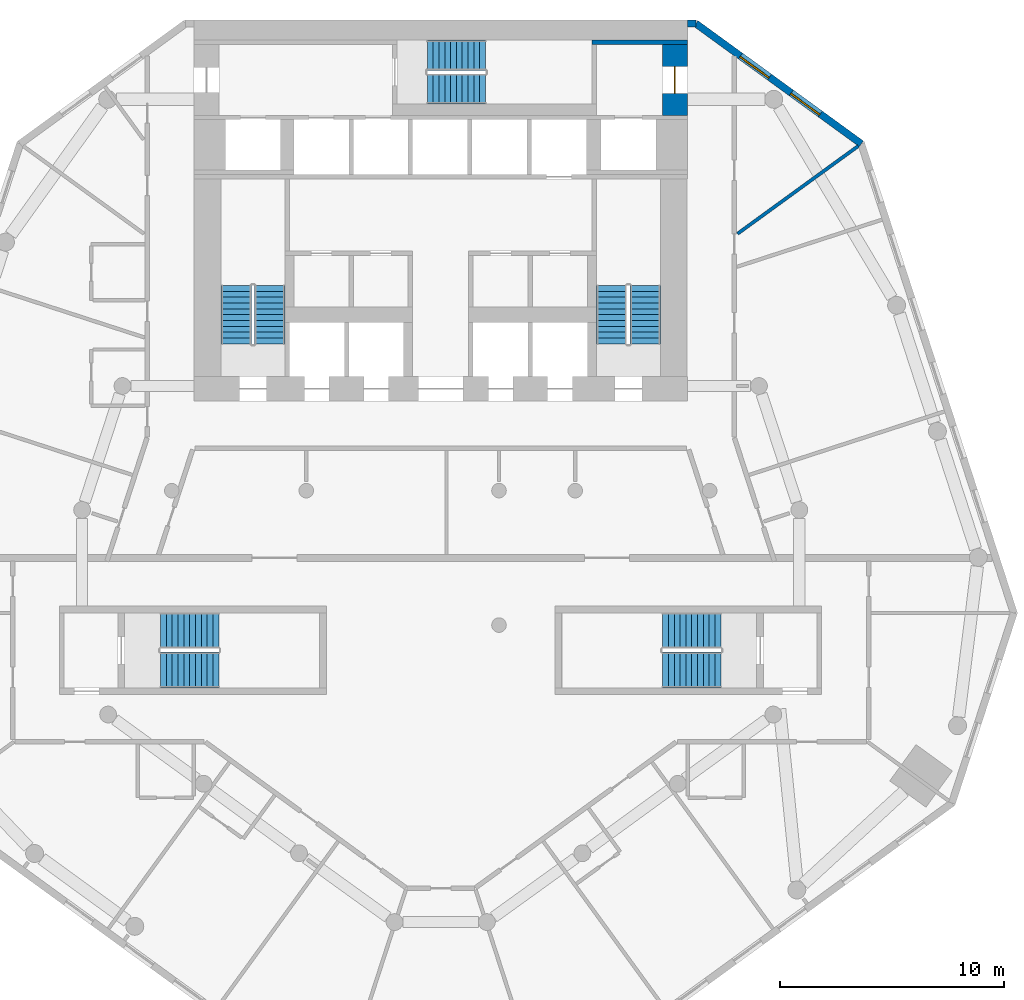
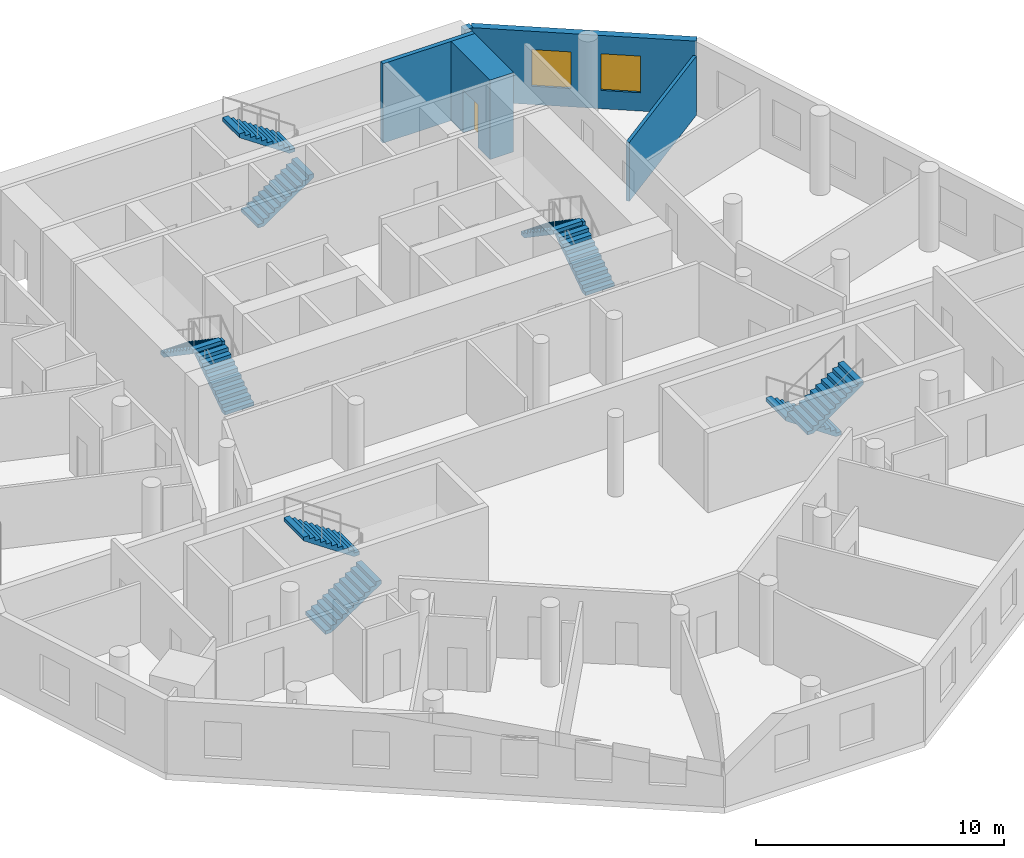
# One storey, part 7 of 9: 10 stair flights, 5 walls, 2 windows, 1 door, 3 openings, 5 elements without a shape of their own.
"""IFC4 building model written with IfcOpenShell, lengths in metres."""

from ifc_helpers import new_model, si_unit, direction, frame, frame_2d, origin, place, context, subcontext, project, spatial, polyline, rectangle, outline, extrude, material, layer, layer_set, type_object, element, fill, aggregate, save


model = new_model("IFC4")

# Units and contexts
model_context = context("Model", 3, precision=1e-05, world=origin(), true_north=direction((0.0, 1.0)))
body_context = subcontext(model_context, "Body", "Model", "MODEL_VIEW")
ifc_project = project(units=[si_unit("LENGTHUNIT", "METRE"), si_unit("AREAUNIT", "SQUARE_METRE"), si_unit("VOLUMEUNIT", "CUBIC_METRE"), si_unit("PLANEANGLEUNIT", "RADIAN"), si_unit("MASSUNIT", "GRAM", prefix="KILO")], contexts=[model_context])

# Site, building, storey
site_placement = place(None, origin())
site = spatial("IfcSite", under=ifc_project, at=site_placement, CompositionType="ELEMENT")
building_placement = place(site_placement, origin())
building = spatial("IfcBuilding", under=site, at=building_placement, Name="White Candle Pilgrim Tower", CompositionType="ELEMENT")
storey_placement = place(building_placement, frame((0.0, 0.0, 118.10009765625)))
storey = spatial("IfcBuildingStorey", under=building, at=storey_placement, Name="L26", CompositionType="ELEMENT", Elevation=118.10009765625)

# Wall, opening, door
ifc_material_1 = material(Name="Concrete C60/75", Category="concrete")
ifc_layer_1 = layer(ifc_material_1, 1.10009765625)
ifc_layer_set_1 = layer_set([ifc_layer_1], Name="Core wall 1100 mm Concrete C60/75")
wall_type_1 = type_object("IfcWallType", Name="Core wall 1100 mm Concrete C60/75", PredefinedType="SHEAR", material=ifc_layer_set_1)
wall_1_placement = place(storey_placement, frame((80.449951171875, 83.75, 0.0), z_axis=(0.0, 0.0, 1.0), x_axis=(0.0, 1.0, 0.0)))
wall_1 = element("IfcWall", 1, at=wall_1_placement, inside=storey, type_object=wall_type_1, Name="WL-L26-C46", PredefinedType="SHEAR", context=body_context, shape_type="SweptSolid", body=[
    extrude(rectangle(XDim=3.14990234375, YDim=1.10009765625, at=frame_2d((1.574951171875, 0.0))), origin(), (0.0, 0.0, 1.0), 3.89990234375),
])
opening_1_placement = place(wall_1_placement, frame((0.97509765625, 0.0, 0.0)))
opening_1 = element("IfcOpeningElement", 2, at=opening_1_placement, cuts=wall_1, Name="Opening T08-006", PredefinedType="OPENING", context=body_context, shape_type="SweptSolid", body=[
    extrude(rectangle(XDim=1.199951171875, YDim=2.10009765625, at=frame_2d((0.60009765625, 1.050048828125))), frame((0.0, 0.56005859375, 0.0), z_axis=(0.0, -1.0, 0.0), x_axis=(1.0, 0.0, 0.0)), (0.0, 0.0, 1.0), 1.1201171875),
])
ifc_material_2 = material(Name="Steel door leaf", Category="steel")
door_type = type_object("IfcDoorType", Name="Fire door 1200 x 2100 EI 30", OperationType="NOTDEFINED", PredefinedType="DOOR", material=ifc_material_2)
door_placement = place(opening_1_placement, origin())
door = element("IfcDoor", 3, at=door_placement, inside=storey, type_object=door_type, Name="Door T08-006", OperationType="SINGLE_SWING_RIGHT", OverallHeight=2.10009765625, OverallWidth=1.199951171875, PredefinedType="DOOR", context=body_context, shape_type="SweptSolid", body=[
    extrude(rectangle(XDim=1.199951171875, YDim=2.10009765625, at=frame_2d((0.60009765625, 1.050048828125))), frame((0.0, 0.02490234375, 0.0), z_axis=(0.0, -1.0, 0.0), x_axis=(1.0, 0.0, 0.0)), (0.0, 0.0, 1.0), 0.050048828125),
])
fill(opening_1, door)

# Wall, openings, windows
ifc_material_3 = material(Name="Precast concrete C40/50", Category="concrete")
ifc_layer_2 = layer(ifc_material_3, 0.320068359375)
ifc_layer_set_2 = layer_set([ifc_layer_2], Name="Facade wall EW1 precast concrete C40/50 pier wall with timber-lined reveals")
wall_type_2 = type_object("IfcWallType", Name="Facade wall EW1 precast concrete C40/50 pier wall with timber-lined reveals", PredefinedType="SOLIDWALL", material=ifc_layer_set_2)
wall_2_placement = place(storey_placement, frame((88.766845703125, 82.476806640625, 0.0), z_axis=(0.0, 0.0, 1.0), x_axis=(-0.809013684675, 0.587789807677, 0.0)))
wall_2 = element("IfcWall", 4, at=wall_2_placement, inside=storey, type_object=wall_type_2, Name="Facade wall L26 NE chamfer", PredefinedType="SOLIDWALL", context=body_context, shape_type="SweptSolid", body=[
    extrude(rectangle(XDim=9.12451171875, YDim=0.320068359375, at=frame_2d((4.562255859375, 0.0))), origin(), (0.0, 0.0, 1.0), 3.599853515625),
])
opening_2_placement = place(wall_2_placement, frame((2.26220703125, 0.0, 0.89990234375)))
opening_2 = element("IfcOpeningElement", 5, at=opening_2_placement, cuts=wall_2, Name="Opening W2", PredefinedType="OPENING", context=body_context, shape_type="SweptSolid", body=[
    extrude(rectangle(XDim=1.60009765625, YDim=1.800048828125, at=frame_2d((0.800048828125, 0.89990234375))), frame((0.0, 0.169921875, 0.0), z_axis=(0.0, -1.0, 0.0), x_axis=(1.0, 0.0, 0.0)), (0.0, 0.0, 1.0), 0.340087890625),
])
opening_3_placement = place(wall_2_placement, frame((5.062255859375, 0.0, 0.89990234375)))
opening_3 = element("IfcOpeningElement", 6, at=opening_3_placement, cuts=wall_2, Name="Opening W2", PredefinedType="OPENING", context=body_context, shape_type="SweptSolid", body=[
    extrude(rectangle(XDim=1.60009765625, YDim=1.800048828125, at=frame_2d((0.800048828125, 0.89990234375))), frame((0.0, 0.169921875, 0.0), z_axis=(0.0, -1.0, 0.0), x_axis=(1.0, 0.0, 0.0)), (0.0, 0.0, 1.0), 0.340087890625),
])
ifc_material_4 = material(Name="Timber frame with triple glazing", Category="wood")
window_type = type_object("IfcWindowType", Name="Window W2 1600x1800 timber frame triple glazing", PartitioningType="SINGLE_PANEL", PredefinedType="WINDOW", material=ifc_material_4)
window_1_placement = place(opening_2_placement, origin())
window_1 = element("IfcWindow", 7, at=window_1_placement, inside=storey, type_object=window_type, Name="Window W2 L26 NE chamfer 1", OverallHeight=1.800048828125, OverallWidth=1.60009765625, PartitioningType="SINGLE_PANEL", PredefinedType="WINDOW", context=body_context, shape_type="SweptSolid", body=[
    extrude(rectangle(XDim=1.60009765625, YDim=1.800048828125, at=frame_2d((0.800048828125, 0.89990234375))), frame((0.0, 0.070068359375, 0.0), z_axis=(0.0, -1.0, 0.0), x_axis=(1.0, 0.0, 0.0)), (0.0, 0.0, 1.0), 0.06005859375),
])
fill(opening_2, window_1)
window_2_placement = place(opening_3_placement, origin())
window_2 = element("IfcWindow", 8, at=window_2_placement, inside=storey, type_object=window_type, Name="Window W2 L26 NE chamfer 2", OverallHeight=1.800048828125, OverallWidth=1.60009765625, PartitioningType="SINGLE_PANEL", PredefinedType="WINDOW", context=body_context, shape_type="SweptSolid", body=[
    extrude(rectangle(XDim=1.60009765625, YDim=1.800048828125, at=frame_2d((0.800048828125, 0.89990234375))), frame((0.0, 0.070068359375, 0.0), z_axis=(0.0, -1.0, 0.0), x_axis=(1.0, 0.0, 0.0)), (0.0, 0.0, 1.0), 0.06005859375),
])
fill(opening_3, window_2)

# Walls
wall_3_placement = place(storey_placement, frame((81.385009765625, 87.840087890625, 0.0), z_axis=(0.0, 0.0, 1.0), x_axis=(-1.0, 0.0, 0.0)))
element("IfcWall", 9, at=wall_3_placement, inside=storey, type_object=wall_type_2, Name="Facade wall L26 N", PredefinedType="SOLIDWALL", context=body_context, shape_type="SweptSolid", body=[
    extrude(rectangle(XDim=0.385009765625, YDim=0.320068359375, at=frame_2d((0.1923828125, 0.0))), origin(), (0.0, 0.0, 1.0), 3.599853515625),
])
ifc_material_5 = material(Name="Gypsum board on steel studs", Category="steel")
ifc_layer_3 = layer(ifc_material_5, 0.14990234375)
ifc_layer_set_3 = layer_set([ifc_layer_3], Name="Partition 150 mm EI 60")
wall_type_3 = type_object("IfcWallType", Name="Partition 150 mm EI 60", PredefinedType="PARTITIONING", material=ifc_layer_set_3)
wall_4_placement = place(storey_placement, frame((88.630859375, 82.3779296875, 0.0), z_axis=(0.0, 0.0, 1.0), x_axis=(-0.809007131432, -0.587798827229, 0.0)))
element("IfcWall", 10, at=wall_4_placement, inside=storey, type_object=wall_type_3, Name="WL-L26-P023", PredefinedType="PARTITIONING", context=body_context, shape_type="SweptSolid", body=[
    extrude(rectangle(XDim=6.658447265625, YDim=0.14990234375, at=frame_2d((3.3291015625, 0.0))), origin(), (0.0, 0.0, 1.0), 2.89990234375),
])
ifc_layer_4 = layer(ifc_material_1, 0.199951171875)
ifc_layer_set_4 = layer_set([ifc_layer_4], Name="Stair shaft wall 200 mm Concrete C60/75")
wall_type_4 = type_object("IfcWallType", Name="Stair shaft wall 200 mm Concrete C60/75", PredefinedType="SHEAR", material=ifc_layer_set_4)
wall_5_placement = place(storey_placement, frame((76.75, 87.0, 0.0), z_axis=(0.0, 0.0, 1.0), x_axis=(1.0, 0.0, 0.0)))
element("IfcWall", 11, at=wall_5_placement, inside=storey, type_object=wall_type_4, Name="WL-L26-C50", PredefinedType="SHEAR", context=body_context, shape_type="SweptSolid", body=[
    extrude(rectangle(XDim=4.25, YDim=0.199951171875, at=frame_2d((2.125, 0.0))), origin(), (0.0, 0.0, 1.0), 3.89990234375),
])

# Stair, stair flights
ifc_material_6 = material(Name="Concrete C40/50", Category="concrete")
stair_type_1 = type_object("IfcStairType", Name="Exit stair 1 flight width 1350 mm", PredefinedType="HALF_TURN_STAIR", material=ifc_material_6)
stair_1_placement = place(storey_placement, origin())
stair_1 = element("IfcStair", 12, at=stair_1_placement, inside=storey, type_object=stair_type_1, Name="L26 stair 1", PredefinedType="NOTDEFINED")
ifc_layer_5 = layer(ifc_material_6, 0.14990234375)
ifc_layer_set_5 = layer_set([ifc_layer_5], Name="Stair flight Concrete C40/50")
stair_flight_type = type_object("IfcStairFlightType", Name="Stair flight Concrete C40/50", PredefinedType="STRAIGHT", material=ifc_layer_set_5)
stair_flight_1_placement = place(storey_placement, frame((62.375, 73.550048828125, 0.0), z_axis=(0.0, 0.0, 1.0), x_axis=(0.0, 1.0, 0.0)))
stair_flight_1 = element("IfcStairFlight", 13, at=stair_flight_1_placement, type_object=stair_flight_type, Name="ST1 flight 1", NumberOfRisers=11, NumberOfTreads=10, PredefinedType="NOTDEFINED", RiserHeight=0.177272727, TreadLength=0.26, context=body_context, shape_type="SweptSolid", body=[
    extrude(outline(polyline([(0.0, 0.0), (0.0, 0.17724609375), (0.260009765625, 0.17724609375), (0.260009765625, 0.3544921875), (0.52001953125, 0.3544921875), (0.52001953125, 0.53173828125), (0.780029296875, 0.53173828125), (0.780029296875, 0.708984375), (1.0400390625, 0.708984375), (1.0400390625, 0.886474609375), (1.300048828125, 0.886474609375), (1.300048828125, 1.063720703125), (1.56005859375, 1.063720703125), (1.56005859375, 1.240966796875), (1.820068359375, 1.240966796875), (1.820068359375, 1.418212890625), (2.080078125, 1.418212890625), (2.080078125, 1.595458984375), (2.340087890625, 1.595458984375), (2.340087890625, 1.772705078125), (2.60009765625, 1.772705078125), (2.60009765625, 1.949951171875), (2.60009765625, 1.59130859375), (0.26611328125, 0.0), (0.0, 0.0)])), frame((0.0, 0.675048828125, 0.0), z_axis=(0.0, -1.0, 0.0), x_axis=(1.0, 0.0, 0.0)), (0.0, 0.0, 1.0), 1.35009765625),
])
stair_flight_2_placement = place(storey_placement, frame((60.875, 76.14990234375, 1.949951171875), z_axis=(0.0, 0.0, 1.0), x_axis=(0.0, -1.0, 0.0)))
stair_flight_2 = element("IfcStairFlight", 14, at=stair_flight_2_placement, type_object=stair_flight_type, Name="ST1 flight 2", NumberOfRisers=11, NumberOfTreads=10, PredefinedType="NOTDEFINED", RiserHeight=0.177272727, TreadLength=0.26, context=body_context, shape_type="SweptSolid", body=[
    extrude(outline(polyline([(0.0, 0.0), (0.0, 0.17724609375), (0.260009765625, 0.17724609375), (0.260009765625, 0.3544921875), (0.52001953125, 0.3544921875), (0.52001953125, 0.53173828125), (0.780029296875, 0.53173828125), (0.780029296875, 0.708984375), (1.0400390625, 0.708984375), (1.0400390625, 0.886474609375), (1.300048828125, 0.886474609375), (1.300048828125, 1.063720703125), (1.56005859375, 1.063720703125), (1.56005859375, 1.240966796875), (1.820068359375, 1.240966796875), (1.820068359375, 1.418212890625), (2.080078125, 1.418212890625), (2.080078125, 1.595458984375), (2.340087890625, 1.595458984375), (2.340087890625, 1.772705078125), (2.60009765625, 1.772705078125), (2.60009765625, 1.949951171875), (2.60009765625, 1.59130859375), (0.26611328125, 0.0), (0.0, 0.0)])), frame((0.0, 0.675048828125, 0.0), z_axis=(0.0, -1.0, 0.0), x_axis=(1.0, 0.0, 0.0)), (0.0, 0.0, 1.0), 1.35009765625),
])
aggregate(stair_1, [stair_flight_1, stair_flight_2])

stair_type_2 = type_object("IfcStairType", Name="Exit stair 2 flight width 1350 mm", PredefinedType="HALF_TURN_STAIR", material=ifc_material_6)
stair_2_placement = place(storey_placement, origin())
stair_2 = element("IfcStair", 15, at=stair_2_placement, inside=storey, type_object=stair_type_2, Name="L26 stair 2", PredefinedType="NOTDEFINED")
stair_flight_3_placement = place(storey_placement, frame((79.125, 73.550048828125, 0.0), z_axis=(0.0, 0.0, 1.0), x_axis=(0.0, 1.0, 0.0)))
stair_flight_3 = element("IfcStairFlight", 16, at=stair_flight_3_placement, type_object=stair_flight_type, Name="ST2 flight 1", NumberOfRisers=11, NumberOfTreads=10, PredefinedType="NOTDEFINED", RiserHeight=0.177272727, TreadLength=0.26, context=body_context, shape_type="SweptSolid", body=[
    extrude(outline(polyline([(0.0, 0.0), (0.0, 0.17724609375), (0.260009765625, 0.17724609375), (0.260009765625, 0.3544921875), (0.52001953125, 0.3544921875), (0.52001953125, 0.53173828125), (0.780029296875, 0.53173828125), (0.780029296875, 0.708984375), (1.0400390625, 0.708984375), (1.0400390625, 0.886474609375), (1.300048828125, 0.886474609375), (1.300048828125, 1.063720703125), (1.56005859375, 1.063720703125), (1.56005859375, 1.240966796875), (1.820068359375, 1.240966796875), (1.820068359375, 1.418212890625), (2.080078125, 1.418212890625), (2.080078125, 1.595458984375), (2.340087890625, 1.595458984375), (2.340087890625, 1.772705078125), (2.60009765625, 1.772705078125), (2.60009765625, 1.949951171875), (2.60009765625, 1.59130859375), (0.26611328125, 0.0), (0.0, 0.0)])), frame((0.0, 0.675048828125, 0.0), z_axis=(0.0, -1.0, 0.0), x_axis=(1.0, 0.0, 0.0)), (0.0, 0.0, 1.0), 1.35009765625),
])
stair_flight_4_placement = place(storey_placement, frame((77.625, 76.14990234375, 1.949951171875), z_axis=(0.0, 0.0, 1.0), x_axis=(0.0, -1.0, 0.0)))
stair_flight_4 = element("IfcStairFlight", 17, at=stair_flight_4_placement, type_object=stair_flight_type, Name="ST2 flight 2", NumberOfRisers=11, NumberOfTreads=10, PredefinedType="NOTDEFINED", RiserHeight=0.177272727, TreadLength=0.26, context=body_context, shape_type="SweptSolid", body=[
    extrude(outline(polyline([(0.0, 0.0), (0.0, 0.17724609375), (0.260009765625, 0.17724609375), (0.260009765625, 0.3544921875), (0.52001953125, 0.3544921875), (0.52001953125, 0.53173828125), (0.780029296875, 0.53173828125), (0.780029296875, 0.708984375), (1.0400390625, 0.708984375), (1.0400390625, 0.886474609375), (1.300048828125, 0.886474609375), (1.300048828125, 1.063720703125), (1.56005859375, 1.063720703125), (1.56005859375, 1.240966796875), (1.820068359375, 1.240966796875), (1.820068359375, 1.418212890625), (2.080078125, 1.418212890625), (2.080078125, 1.595458984375), (2.340087890625, 1.595458984375), (2.340087890625, 1.772705078125), (2.60009765625, 1.772705078125), (2.60009765625, 1.949951171875), (2.60009765625, 1.59130859375), (0.26611328125, 0.0), (0.0, 0.0)])), frame((0.0, 0.675048828125, 0.0), z_axis=(0.0, -1.0, 0.0), x_axis=(1.0, 0.0, 0.0)), (0.0, 0.0, 1.0), 1.35009765625),
])
aggregate(stair_2, [stair_flight_3, stair_flight_4])

stair_type_3 = type_object("IfcStairType", Name="Exit stair 3 flight width 1350 mm", PredefinedType="HALF_TURN_STAIR", material=ifc_material_6)
stair_3_placement = place(storey_placement, origin())
stair_3 = element("IfcStair", 18, at=stair_3_placement, inside=storey, type_object=stair_type_3, Name="L26 stair 3", PredefinedType="NOTDEFINED")
stair_flight_5_placement = place(storey_placement, frame((69.39990234375, 84.925048828125, 0.0), z_axis=(0.0, 0.0, 1.0), x_axis=(1.0, 0.0, 0.0)))
stair_flight_5 = element("IfcStairFlight", 19, at=stair_flight_5_placement, type_object=stair_flight_type, Name="ST3 flight 1", NumberOfRisers=11, NumberOfTreads=10, PredefinedType="NOTDEFINED", RiserHeight=0.177272727, TreadLength=0.26, context=body_context, shape_type="SweptSolid", body=[
    extrude(outline(polyline([(0.0, 0.0), (0.0, 0.17724609375), (0.260009765625, 0.17724609375), (0.260009765625, 0.3544921875), (0.52001953125, 0.3544921875), (0.52001953125, 0.53173828125), (0.780029296875, 0.53173828125), (0.780029296875, 0.708984375), (1.0400390625, 0.708984375), (1.0400390625, 0.886474609375), (1.300048828125, 0.886474609375), (1.300048828125, 1.063720703125), (1.56005859375, 1.063720703125), (1.56005859375, 1.240966796875), (1.820068359375, 1.240966796875), (1.820068359375, 1.418212890625), (2.080078125, 1.418212890625), (2.080078125, 1.595458984375), (2.340087890625, 1.595458984375), (2.340087890625, 1.772705078125), (2.60009765625, 1.772705078125), (2.60009765625, 1.949951171875), (2.60009765625, 1.59130859375), (0.26611328125, 0.0), (0.0, 0.0)])), frame((0.0, 0.675048828125, 0.0), z_axis=(0.0, -1.0, 0.0), x_axis=(1.0, 0.0, 0.0)), (0.0, 0.0, 1.0), 1.35009765625),
])
stair_flight_6_placement = place(storey_placement, frame((72.0, 86.425048828125, 1.949951171875), z_axis=(0.0, 0.0, 1.0), x_axis=(-1.0, 0.0, 0.0)))
stair_flight_6 = element("IfcStairFlight", 20, at=stair_flight_6_placement, type_object=stair_flight_type, Name="ST3 flight 2", NumberOfRisers=11, NumberOfTreads=10, PredefinedType="NOTDEFINED", RiserHeight=0.177272727, TreadLength=0.26, context=body_context, shape_type="SweptSolid", body=[
    extrude(outline(polyline([(0.0, 0.0), (0.0, 0.17724609375), (0.260009765625, 0.17724609375), (0.260009765625, 0.3544921875), (0.52001953125, 0.3544921875), (0.52001953125, 0.53173828125), (0.780029296875, 0.53173828125), (0.780029296875, 0.708984375), (1.0400390625, 0.708984375), (1.0400390625, 0.886474609375), (1.300048828125, 0.886474609375), (1.300048828125, 1.063720703125), (1.56005859375, 1.063720703125), (1.56005859375, 1.240966796875), (1.820068359375, 1.240966796875), (1.820068359375, 1.418212890625), (2.080078125, 1.418212890625), (2.080078125, 1.595458984375), (2.340087890625, 1.595458984375), (2.340087890625, 1.772705078125), (2.60009765625, 1.772705078125), (2.60009765625, 1.949951171875), (2.60009765625, 1.59130859375), (0.26611328125, 0.0), (0.0, 0.0)])), frame((0.0, 0.675048828125, 0.0), z_axis=(0.0, -1.0, 0.0), x_axis=(1.0, 0.0, 0.0)), (0.0, 0.0, 1.0), 1.35009765625),
])
aggregate(stair_3, [stair_flight_5, stair_flight_6])

stair_type_4 = type_object("IfcStairType", Name="Exit stair 4 flight width 1600 mm", PredefinedType="HALF_TURN_STAIR", material=ifc_material_6)
stair_4_placement = place(storey_placement, origin())
stair_4 = element("IfcStair", 21, at=stair_4_placement, inside=storey, type_object=stair_type_4, Name="L26 stair 4", PredefinedType="NOTDEFINED")
stair_flight_7_placement = place(storey_placement, frame((82.5, 60.75, 0.0), z_axis=(0.0, 0.0, 1.0), x_axis=(-1.0, 0.0, 0.0)))
stair_flight_7 = element("IfcStairFlight", 22, at=stair_flight_7_placement, type_object=stair_flight_type, Name="ST4 flight 1", NumberOfRisers=11, NumberOfTreads=10, PredefinedType="NOTDEFINED", RiserHeight=0.177272727, TreadLength=0.26, context=body_context, shape_type="SweptSolid", body=[
    extrude(outline(polyline([(0.0, 0.0), (0.0, 0.17724609375), (0.260009765625, 0.17724609375), (0.260009765625, 0.3544921875), (0.52001953125, 0.3544921875), (0.52001953125, 0.53173828125), (0.780029296875, 0.53173828125), (0.780029296875, 0.708984375), (1.0400390625, 0.708984375), (1.0400390625, 0.886474609375), (1.300048828125, 0.886474609375), (1.300048828125, 1.063720703125), (1.56005859375, 1.063720703125), (1.56005859375, 1.240966796875), (1.820068359375, 1.240966796875), (1.820068359375, 1.418212890625), (2.080078125, 1.418212890625), (2.080078125, 1.595458984375), (2.340087890625, 1.595458984375), (2.340087890625, 1.772705078125), (2.60009765625, 1.772705078125), (2.60009765625, 1.949951171875), (2.60009765625, 1.59130859375), (0.26611328125, 0.0), (0.0, 0.0)])), frame((0.0, 0.800048828125, 0.0), z_axis=(0.0, -1.0, 0.0), x_axis=(1.0, 0.0, 0.0)), (0.0, 0.0, 1.0), 1.60009765625),
])
stair_flight_8_placement = place(storey_placement, frame((79.89990234375, 59.0, 1.949951171875), z_axis=(0.0, 0.0, 1.0), x_axis=(1.0, 0.0, 0.0)))
stair_flight_8 = element("IfcStairFlight", 23, at=stair_flight_8_placement, type_object=stair_flight_type, Name="ST4 flight 2", NumberOfRisers=11, NumberOfTreads=10, PredefinedType="NOTDEFINED", RiserHeight=0.177272727, TreadLength=0.26, context=body_context, shape_type="SweptSolid", body=[
    extrude(outline(polyline([(0.0, 0.0), (0.0, 0.17724609375), (0.260009765625, 0.17724609375), (0.260009765625, 0.3544921875), (0.52001953125, 0.3544921875), (0.52001953125, 0.53173828125), (0.780029296875, 0.53173828125), (0.780029296875, 0.708984375), (1.0400390625, 0.708984375), (1.0400390625, 0.886474609375), (1.300048828125, 0.886474609375), (1.300048828125, 1.063720703125), (1.56005859375, 1.063720703125), (1.56005859375, 1.240966796875), (1.820068359375, 1.240966796875), (1.820068359375, 1.418212890625), (2.080078125, 1.418212890625), (2.080078125, 1.595458984375), (2.340087890625, 1.595458984375), (2.340087890625, 1.772705078125), (2.60009765625, 1.772705078125), (2.60009765625, 1.949951171875), (2.60009765625, 1.59130859375), (0.26611328125, 0.0), (0.0, 0.0)])), frame((0.0, 0.800048828125, 0.0), z_axis=(0.0, -1.0, 0.0), x_axis=(1.0, 0.0, 0.0)), (0.0, 0.0, 1.0), 1.60009765625),
])
aggregate(stair_4, [stair_flight_7, stair_flight_8])

stair_type_5 = type_object("IfcStairType", Name="Exit stair 5 flight width 1600 mm", PredefinedType="HALF_TURN_STAIR", material=ifc_material_6)
stair_5_placement = place(storey_placement, origin())
stair_5 = element("IfcStair", 24, at=stair_5_placement, inside=storey, type_object=stair_type_5, Name="L26 stair 5", PredefinedType="NOTDEFINED")
stair_flight_9_placement = place(storey_placement, frame((57.5, 59.0, 0.0), z_axis=(0.0, 0.0, 1.0), x_axis=(1.0, 0.0, 0.0)))
stair_flight_9 = element("IfcStairFlight", 25, at=stair_flight_9_placement, type_object=stair_flight_type, Name="ST5 flight 1", NumberOfRisers=11, NumberOfTreads=10, PredefinedType="NOTDEFINED", RiserHeight=0.177272727, TreadLength=0.26, context=body_context, shape_type="SweptSolid", body=[
    extrude(outline(polyline([(0.0, 0.0), (0.0, 0.17724609375), (0.260009765625, 0.17724609375), (0.260009765625, 0.3544921875), (0.52001953125, 0.3544921875), (0.52001953125, 0.53173828125), (0.780029296875, 0.53173828125), (0.780029296875, 0.708984375), (1.0400390625, 0.708984375), (1.0400390625, 0.886474609375), (1.300048828125, 0.886474609375), (1.300048828125, 1.063720703125), (1.56005859375, 1.063720703125), (1.56005859375, 1.240966796875), (1.820068359375, 1.240966796875), (1.820068359375, 1.418212890625), (2.080078125, 1.418212890625), (2.080078125, 1.595458984375), (2.340087890625, 1.595458984375), (2.340087890625, 1.772705078125), (2.60009765625, 1.772705078125), (2.60009765625, 1.949951171875), (2.60009765625, 1.59130859375), (0.26611328125, 0.0), (0.0, 0.0)])), frame((0.0, 0.800048828125, 0.0), z_axis=(0.0, -1.0, 0.0), x_axis=(1.0, 0.0, 0.0)), (0.0, 0.0, 1.0), 1.60009765625),
])
stair_flight_10_placement = place(storey_placement, frame((60.10009765625, 60.75, 1.949951171875), z_axis=(0.0, 0.0, 1.0), x_axis=(-1.0, 0.0, 0.0)))
stair_flight_10 = element("IfcStairFlight", 26, at=stair_flight_10_placement, type_object=stair_flight_type, Name="ST5 flight 2", NumberOfRisers=11, NumberOfTreads=10, PredefinedType="NOTDEFINED", RiserHeight=0.177272727, TreadLength=0.26, context=body_context, shape_type="SweptSolid", body=[
    extrude(outline(polyline([(0.0, 0.0), (0.0, 0.17724609375), (0.260009765625, 0.17724609375), (0.260009765625, 0.3544921875), (0.52001953125, 0.3544921875), (0.52001953125, 0.53173828125), (0.780029296875, 0.53173828125), (0.780029296875, 0.708984375), (1.0400390625, 0.708984375), (1.0400390625, 0.886474609375), (1.300048828125, 0.886474609375), (1.300048828125, 1.063720703125), (1.56005859375, 1.063720703125), (1.56005859375, 1.240966796875), (1.820068359375, 1.240966796875), (1.820068359375, 1.418212890625), (2.080078125, 1.418212890625), (2.080078125, 1.595458984375), (2.340087890625, 1.595458984375), (2.340087890625, 1.772705078125), (2.60009765625, 1.772705078125), (2.60009765625, 1.949951171875), (2.60009765625, 1.59130859375), (0.26611328125, 0.0), (0.0, 0.0)])), frame((0.0, 0.800048828125, 0.0), z_axis=(0.0, -1.0, 0.0), x_axis=(1.0, 0.0, 0.0)), (0.0, 0.0, 1.0), 1.60009765625),
])
aggregate(stair_5, [stair_flight_9, stair_flight_10])

save(model, "model.ifc")
